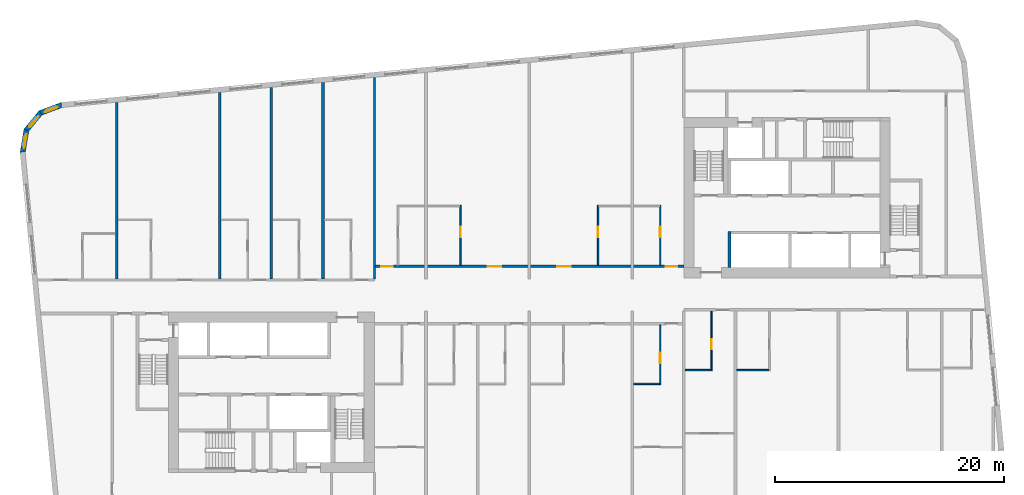
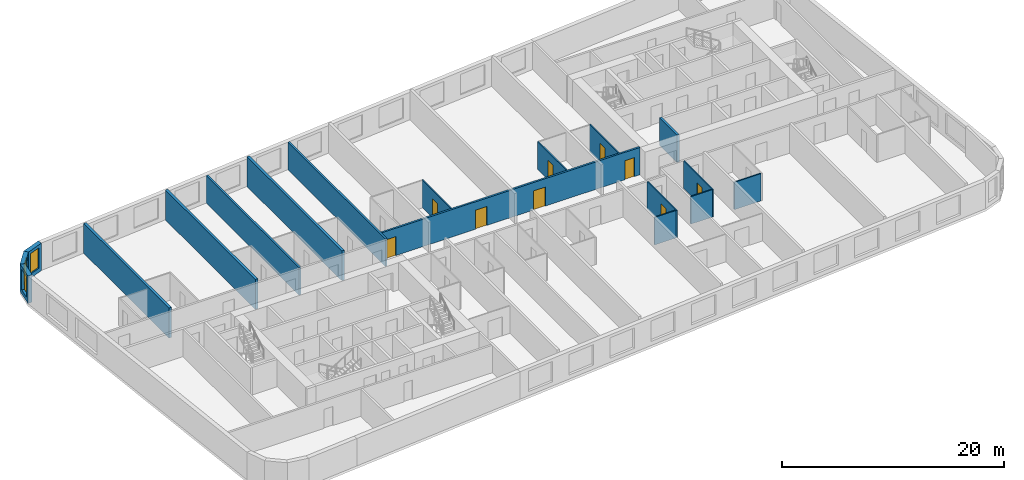
# One storey, part 5 of 12: 18 walls, 9 doors, 3 windows, 12 openings.
"""IFC4 building model written with IfcOpenShell, lengths in metres."""

import ifcopenshell
import ifcopenshell.guid

model = None  # the IFC model being written
_history = None  # IfcOwnerHistory: only IFC2X3 demands one
_inside = {}  # id of a spatial element -> (the spatial element, [elements in it])
_under = {}  # id of a project, library or spatial element -> (it, [spatial elements below it])
_declared = {}  # id of a project -> (the project, [libraries it declares])
_typed = {}  # id of a type object -> (the type object, [elements of that type])
_made_of = {}  # id of a material, layer set ... -> (it, [elements and type objects made of it])


def new_model(schema):
    """Start an empty IFC model of exactly this schema.

    Asked for "IFC4X3", IfcOpenShell would pick the latest addendum, in which some entities
    have other attributes; the version numbers below select the first issue.
    IFC2X3 requires an IfcOwnerHistory on every rooted entity: one is made here for all.
    """
    global model, _history
    if schema == "IFC4X3":
        model = ifcopenshell.file(schema_version=(4, 3, 0, 0))
    else:
        model = ifcopenshell.file(schema=schema)
    _inside.clear()
    _under.clear()
    _declared.clear()
    _typed.clear()
    _made_of.clear()
    _history = None
    if model.schema == "IFC2X3":
        org = make("IfcOrganization", Name="unknown")
        user = make(
            "IfcPersonAndOrganization",
            ThePerson=make("IfcPerson", FamilyName="unknown"),
            TheOrganization=org,
        )
        app = make(
            "IfcApplication",
            ApplicationDeveloper=org,
            Version="unknown",
            ApplicationFullName="unknown",
            ApplicationIdentifier="unknown",
        )
        _history = make(
            "IfcOwnerHistory",
            OwningUser=user,
            OwningApplication=app,
            ChangeAction="ADDED",
            CreationDate=0,
        )
    return model


def make(cls, **values):
    """One entity of the class cls with the attributes given. An attribute that is None is left unset."""
    return model.create_entity(
        cls, **{name: value for name, value in values.items() if value is not None}
    )


def rooted(cls, **values):
    """An entity with a GlobalId (a new one), such as an element, a storey or a relation."""
    return make(cls, GlobalId=ifcopenshell.guid.new(), OwnerHistory=_history, **values)


def si_unit(unit_type, name, prefix=None):
    """IfcSIUnit, for example si_unit("LENGTHUNIT", "METRE", prefix="MILLI")."""
    return make("IfcSIUnit", UnitType=unit_type, Prefix=prefix, Name=name)


def assignment(units):
    """IfcUnitAssignment: the units of a project."""
    return None if units is None else make("IfcUnitAssignment", Units=units)


def point(xyz):
    """IfcCartesianPoint."""
    return None if xyz is None else make("IfcCartesianPoint", Coordinates=xyz)


def direction(xyz):
    """IfcDirection."""
    return None if xyz is None else make("IfcDirection", DirectionRatios=xyz)


def frame(location, z_axis=None, x_axis=None):
    """IfcAxis2Placement3D, a coordinate frame: its origin and axes. An axis left out is left unset."""
    return make(
        "IfcAxis2Placement3D",
        Location=point(location),
        Axis=direction(z_axis),
        RefDirection=direction(x_axis),
    )


def frame_2d(location, x_axis=None):
    """IfcAxis2Placement2D, a coordinate frame in the plane: its origin and x axis."""
    return make(
        "IfcAxis2Placement2D", Location=point(location), RefDirection=direction(x_axis)
    )


def origin():
    """The frame at (0, 0, 0) with its axes left unset."""
    return frame((0.0, 0.0, 0.0))


def place(relative_to, where):
    """IfcLocalPlacement: puts the frame where relative to a parent placement (None: the world)."""
    return make(
        "IfcLocalPlacement", PlacementRelTo=relative_to, RelativePlacement=where
    )


def context(
    kind, dimensions, precision=None, world=None, true_north=None, identifier=None
):
    """IfcGeometricRepresentationContext, for example the 3D "Model" context."""
    return make(
        "IfcGeometricRepresentationContext",
        ContextIdentifier=identifier,
        ContextType=kind,
        CoordinateSpaceDimension=dimensions,
        Precision=precision,
        WorldCoordinateSystem=world,
        TrueNorth=true_north,
    )


def subcontext(parent, identifier, kind, view, scale=None):
    """IfcGeometricRepresentationSubContext, for example "Body" below "Model"."""
    return make(
        "IfcGeometricRepresentationSubContext",
        ContextIdentifier=identifier,
        ContextType=kind,
        ParentContext=parent,
        TargetScale=scale,
        TargetView=view,
    )


def project(units=None, contexts=None):
    """IfcProject with its units and contexts."""
    return rooted(
        "IfcProject",
        Name="project",
        RepresentationContexts=contexts,
        UnitsInContext=assignment(units),
    )


def spatial(cls, under=None, at=None, **own):
    """A site, building, storey or space (cls), placed at a placement, below another one or the project."""
    s = rooted(cls, ObjectPlacement=at, **own)
    if under is not None:
        _under.setdefault(under.id(), (under, []))[1].append(s)
    return s


def polyline(points):
    """IfcPolyline through the points."""
    return make("IfcPolyline", Points=[point(p) for p in points])


def profile(cls, at=None, kind="AREA", **sizes):
    """A parametric profile (cls). Its sizes go by their IFC names, for example OverallWidth=200.0."""
    return make(cls, ProfileType=kind, Position=at, **sizes)


def rectangle(**sizes):
    """IfcRectangleProfileDef."""
    return profile("IfcRectangleProfileDef", **sizes)


def outline(outer, holes=None, kind="AREA"):
    """IfcArbitraryClosedProfileDef: a profile drawn as a closed curve; with holes, ...WithVoids."""
    if holes is None:
        return make("IfcArbitraryClosedProfileDef", ProfileType=kind, OuterCurve=outer)
    return make(
        "IfcArbitraryProfileDefWithVoids",
        ProfileType=kind,
        OuterCurve=outer,
        InnerCurves=holes,
    )


def extrude(swept, where, along, depth):
    """IfcExtrudedAreaSolid: the profile swept, set in the frame where, extruded along a direction by depth."""
    return make(
        "IfcExtrudedAreaSolid",
        SweptArea=swept,
        Position=where,
        ExtrudedDirection=direction(along),
        Depth=depth,
    )


def shape(context_of_items, identifier, shape_type, items):
    """IfcShapeRepresentation: the items that make up one representation, for example the "Body"."""
    return make(
        "IfcShapeRepresentation",
        ContextOfItems=context_of_items,
        RepresentationIdentifier=identifier,
        RepresentationType=shape_type,
        Items=items,
    )


def material(Name=None, Category=None):
    """IfcMaterial."""
    return make("IfcMaterial", Name=Name, Category=Category)


def layer(
    of_material, thickness, ventilated=None, Name=None, Category=None, Priority=None
):
    """IfcMaterialLayer: one layer of a wall or slab, of a material (None: an air gap)."""
    return make(
        "IfcMaterialLayer",
        Material=of_material,
        LayerThickness=thickness,
        IsVentilated=ventilated,
        Name=Name,
        Category=Category,
        Priority=Priority,
    )


def layer_set(layers, Name=None):
    """IfcMaterialLayerSet."""
    return make("IfcMaterialLayerSet", MaterialLayers=layers, LayerSetName=Name)


def made_of(thing, what):
    """Note that an element or type object is made of a material, layer set ...; save() writes the relation."""
    if what is not None:
        _made_of.setdefault(what.id(), (what, []))[1].append(thing)
    return thing


def type_object(cls, material=None, **own):
    """A type object (cls), such as IfcWallType, which elements share."""
    return made_of(rooted(cls, **own), material)


def element(
    cls,
    number,
    at=None,
    inside=None,
    cuts=None,
    type_object=None,
    material=None,
    context=None,
    identifier="Body",
    shape_type=None,
    held_by="IfcProductDefinitionShape",
    body=None,
    shapes=None,
    **own,
):
    """One element of the class cls, such as IfcWall. Its Tag is "e" and its number.

    at: its placement. inside: the storey or other place that contains it. cuts: it is an
    opening in that element (IfcRelVoidsElement). A single representation is given by context,
    identifier, shape_type and body (its items); several are given by shapes. held_by: the class
    of the entity that holds the representations. save() writes the other relations.
    """
    e = rooted(cls, Tag="e%d" % number, ObjectPlacement=at, **own)
    if body is not None:
        shapes = [shape(context, identifier, shape_type, body)]
    if shapes is not None:
        e.Representation = make(held_by, Representations=shapes)
    if inside is not None:
        _inside.setdefault(inside.id(), (inside, []))[1].append(e)
    if cuts is not None:
        rooted(
            "IfcRelVoidsElement", RelatingBuildingElement=cuts, RelatedOpeningElement=e
        )
    if type_object is not None:
        _typed.setdefault(type_object.id(), (type_object, []))[1].append(e)
    return made_of(e, material)


def fill(opening, filler):
    """IfcRelFillsElement: the door or window that sits in an opening."""
    return rooted(
        "IfcRelFillsElement",
        RelatingOpeningElement=opening,
        RelatedBuildingElement=filler,
    )


def aggregate(whole, parts):
    """IfcRelAggregates: a whole, such as a stair, and the parts it consists of."""
    return rooted("IfcRelAggregates", RelatingObject=whole, RelatedObjects=parts)


def save(model, path):
    """Write the relations noted so far, then the file.

    IfcRelAggregates (storeys below a building ...), IfcRelContainedInSpatialStructure (elements
    in a storey), IfcRelDefinesByType, IfcRelAssociatesMaterial and IfcRelDeclares: one each for
    every whole, place, type object, material and project.
    """
    for whole, parts in _under.values():
        aggregate(whole, parts)
    for where, things in _inside.values():
        rooted(
            "IfcRelContainedInSpatialStructure",
            RelatedElements=things,
            RelatingStructure=where,
        )
    for kind, things in _typed.values():
        rooted("IfcRelDefinesByType", RelatedObjects=things, RelatingType=kind)
    for what, things in _made_of.values():
        rooted("IfcRelAssociatesMaterial", RelatedObjects=things, RelatingMaterial=what)
    for by, libraries in _declared.values():
        rooted("IfcRelDeclares", RelatingContext=by, RelatedDefinitions=libraries)
    model.write(path)


model = new_model("IFC4")

# Units and contexts
model_context = context("Model", 3, precision=1e-05, world=origin(), true_north=direction((0.0, 1.0)))
body_context = subcontext(model_context, "Body", "Model", "MODEL_VIEW")
ifc_project = project(units=[si_unit("LENGTHUNIT", "METRE"), si_unit("AREAUNIT", "SQUARE_METRE"), si_unit("VOLUMEUNIT", "CUBIC_METRE"), si_unit("PLANEANGLEUNIT", "RADIAN"), si_unit("MASSUNIT", "GRAM", prefix="KILO")], contexts=[model_context])

# Site, building, storey
site_placement = place(None, origin())
site = spatial("IfcSite", under=ifc_project, at=site_placement, CompositionType="ELEMENT")
building_placement = place(site_placement, origin())
building = spatial("IfcBuilding", under=site, at=building_placement, Name="Kajstack Hotel Tower", CompositionType="ELEMENT")
storey_placement = place(building_placement, frame((0.0, 0.0, 180.10009765625)))
storey = spatial("IfcBuildingStorey", under=building, at=storey_placement, Name="L42", CompositionType="ELEMENT", Elevation=180.10009765625)

# Wall, openings, doors
ifc_material_1 = material(Name="Gypsum board on steel studs, mineral wool", Category="steel")
ifc_layer_1 = layer(ifc_material_1, 0.199951171875)
ifc_layer_set_1 = layer_set([ifc_layer_1], Name="Corridor wall 200")
wall_type_1 = type_object("IfcWallType", Name="Corridor wall 200", PredefinedType="PARTITIONING", material=ifc_layer_set_1)
wall_1_placement = place(storey_placement, frame((-13.5, 2.5, 0.0), z_axis=(0.0, 0.0, 1.0), x_axis=(1.0, 0.0, 0.0)))
wall_1 = element("IfcWall", 1, at=wall_1_placement, inside=storey, type_object=wall_type_1, Name="G-wall-L42-004", PredefinedType="PARTITIONING", context=body_context, shape_type="SweptSolid", body=[
    extrude(rectangle(XDim=27.0, YDim=0.199951171875, at=frame_2d((13.5, 0.0))), origin(), (0.0, 0.0, 1.0), 3.02001953125),
])
opening_1_placement = place(wall_1_placement, frame((0.574951171875, 0.0, 0.0)))
opening_1 = element("IfcOpeningElement", 2, at=opening_1_placement, cuts=wall_1, Name="Opening 42011", PredefinedType="OPENING", context=body_context, shape_type="SweptSolid", body=[
    extrude(rectangle(XDim=1.0, YDim=2.10009765625, at=frame_2d((0.5, 1.050048828125))), frame((0.0, 0.10986328125, 0.0), z_axis=(0.0, -1.0, 0.0), x_axis=(1.0, 0.0, 0.0)), (0.0, 0.0, 1.0), 0.219970703125),
])
opening_2_placement = place(wall_1_placement, frame((9.863037109375, 0.0, 0.0)))
opening_2 = element("IfcOpeningElement", 3, at=opening_2_placement, cuts=wall_1, Name="Opening 42013", PredefinedType="OPENING", context=body_context, shape_type="SweptSolid", body=[
    extrude(rectangle(XDim=1.199951171875, YDim=2.10009765625, at=frame_2d((0.60009765625, 1.050048828125))), frame((0.0, 0.10986328125, 0.0), z_axis=(0.0, -1.0, 0.0), x_axis=(1.0, 0.0, 0.0)), (0.0, 0.0, 1.0), 0.219970703125),
])
opening_3_placement = place(wall_1_placement, frame((15.93798828125, 0.0, 0.0)))
opening_3 = element("IfcOpeningElement", 4, at=opening_3_placement, cuts=wall_1, Name="Opening 42015", PredefinedType="OPENING", context=body_context, shape_type="SweptSolid", body=[
    extrude(rectangle(XDim=1.199951171875, YDim=2.10009765625, at=frame_2d((0.60009765625, 1.050048828125))), frame((0.0, 0.10986328125, 0.0), z_axis=(0.0, -1.0, 0.0), x_axis=(1.0, 0.0, 0.0)), (0.0, 0.0, 1.0), 0.219970703125),
])
opening_4_placement = place(wall_1_placement, frame((25.425048828125, 0.0, 0.0)))
opening_4 = element("IfcOpeningElement", 5, at=opening_4_placement, cuts=wall_1, Name="Opening 42017", PredefinedType="OPENING", context=body_context, shape_type="SweptSolid", body=[
    extrude(rectangle(XDim=1.0, YDim=2.10009765625, at=frame_2d((0.5, 1.050048828125))), frame((0.0, 0.10986328125, 0.0), z_axis=(0.0, -1.0, 0.0), x_axis=(1.0, 0.0, 0.0)), (0.0, 0.0, 1.0), 0.219970703125),
])
ifc_material_2 = material(Name="Oak veneer on timber core, fire-rated leaf", Category="wood")
door_type_1 = type_object("IfcDoorType", Name="Flat entrance door 1000", OperationType="SINGLE_SWING_LEFT", PredefinedType="DOOR", material=ifc_material_2)
door_1_placement = place(opening_1_placement, origin())
door_1 = element("IfcDoor", 6, at=door_1_placement, inside=storey, type_object=door_type_1, Name="G-door-L42-11", OperationType="SINGLE_SWING_RIGHT", OverallHeight=2.10009765625, OverallWidth=1.0, PredefinedType="DOOR", context=body_context, shape_type="SweptSolid", body=[
    extrude(rectangle(XDim=1.0, YDim=2.10009765625, at=frame_2d((0.5, 1.050048828125))), frame((0.0, 0.02490234375, 0.0), z_axis=(0.0, -1.0, 0.0), x_axis=(1.0, 0.0, 0.0)), (0.0, 0.0, 1.0), 0.050048828125),
])
fill(opening_1, door_1)
door_2_placement = place(opening_4_placement, origin())
door_2 = element("IfcDoor", 7, at=door_2_placement, inside=storey, type_object=door_type_1, Name="G-door-L42-17", OperationType="SINGLE_SWING_RIGHT", OverallHeight=2.10009765625, OverallWidth=1.0, PredefinedType="DOOR", context=body_context, shape_type="SweptSolid", body=[
    extrude(rectangle(XDim=1.0, YDim=2.10009765625, at=frame_2d((0.5, 1.050048828125))), frame((0.0, 0.02490234375, 0.0), z_axis=(0.0, -1.0, 0.0), x_axis=(1.0, 0.0, 0.0)), (0.0, 0.0, 1.0), 0.050048828125),
])
fill(opening_4, door_2)
door_type_2 = type_object("IfcDoorType", Name="Flat entrance door 1200", OperationType="SINGLE_SWING_LEFT", PredefinedType="DOOR", material=ifc_material_2)
door_3_placement = place(opening_2_placement, origin())
door_3 = element("IfcDoor", 8, at=door_3_placement, inside=storey, type_object=door_type_2, Name="G-door-L42-13", OperationType="SINGLE_SWING_LEFT", OverallHeight=2.10009765625, OverallWidth=1.199951171875, PredefinedType="DOOR", context=body_context, shape_type="SweptSolid", body=[
    extrude(rectangle(XDim=1.199951171875, YDim=2.10009765625, at=frame_2d((0.60009765625, 1.050048828125))), frame((0.0, 0.02490234375, 0.0), z_axis=(0.0, -1.0, 0.0), x_axis=(1.0, 0.0, 0.0)), (0.0, 0.0, 1.0), 0.050048828125),
])
fill(opening_2, door_3)
door_4_placement = place(opening_3_placement, origin())
door_4 = element("IfcDoor", 9, at=door_4_placement, inside=storey, type_object=door_type_2, Name="G-door-L42-15", OperationType="SINGLE_SWING_RIGHT", OverallHeight=2.10009765625, OverallWidth=1.199951171875, PredefinedType="DOOR", context=body_context, shape_type="SweptSolid", body=[
    extrude(rectangle(XDim=1.199951171875, YDim=2.10009765625, at=frame_2d((0.60009765625, 1.050048828125))), frame((0.0, 0.02490234375, 0.0), z_axis=(0.0, -1.0, 0.0), x_axis=(1.0, 0.0, 0.0)), (0.0, 0.0, 1.0), 0.050048828125),
])
fill(opening_3, door_4)

# Walls
ifc_material_3 = material(Name="Twin-frame gypsum board on steel studs, mineral wool", Category="steel")
ifc_layer_2 = layer(ifc_material_3, 0.199951171875)
ifc_layer_set_2 = layer_set([ifc_layer_2], Name="Demising wall 200")
wall_type_2 = type_object("IfcWallType", Name="Demising wall 200", PredefinedType="PARTITIONING", material=ifc_layer_set_2)
wall_2_placement = place(storey_placement, frame((-22.5, 1.39990234375, 0.0), z_axis=(0.0, 0.0, 1.0), x_axis=(0.0, 1.0, 0.0)))
element("IfcWall", 10, at=wall_2_placement, inside=storey, type_object=wall_type_2, Name="G-wall-L42-009", PredefinedType="PARTITIONING", context=body_context, shape_type="SweptSolid", body=[
    extrude(rectangle(XDim=16.72314453125, YDim=0.199951171875, at=frame_2d((8.361572265625, 0.0))), origin(), (0.0, 0.0, 1.0), 3.02001953125),
])
wall_3_placement = place(storey_placement, frame((-13.5, 1.39990234375, 0.0), z_axis=(0.0, 0.0, 1.0), x_axis=(0.0, 1.0, 0.0)))
element("IfcWall", 11, at=wall_3_placement, inside=storey, type_object=wall_type_2, Name="G-wall-L42-014", PredefinedType="PARTITIONING", context=body_context, shape_type="SweptSolid", body=[
    extrude(rectangle(XDim=17.590087890625, YDim=0.199951171875, at=frame_2d((8.794921875, 0.0))), origin(), (0.0, 0.0, 1.0), 3.02001953125),
])

# Wall, opening, window
ifc_material_4 = material(Name="Terracotta-faced brick masonry", Category="masonry")
ifc_layer_3 = layer(ifc_material_4, 0.449951171875)
ifc_layer_set_3 = layer_set([ifc_layer_3], Name="EW-TERRA")
wall_type_3 = type_object("IfcWallType", Name="EW-TERRA", PredefinedType="SOLIDWALL", material=ifc_layer_set_3)
wall_4_placement = place(storey_placement, frame((-40.76123046875, 16.598388671875, 0.0), z_axis=(0.0, 0.0, 1.0), x_axis=(-0.936677599948, -0.350192909346, 0.0)))
wall_4 = element("IfcWall", 12, at=wall_4_placement, inside=storey, type_object=wall_type_3, Name="E-wall-L42-13-00", PredefinedType="SOLIDWALL", context=body_context, shape_type="SweptSolid", body=[
    extrude(outline(polyline([(0.0, -0.22509765625), (2.070556640625, -0.224853515625), (1.949951171875, 0.22509765625), (0.12060546875, 0.22509765625), (0.0, -0.22509765625)])), origin(), (0.0, 0.0, 1.0), 3.02001953125),
])
opening_5_placement = place(wall_4_placement, frame((0.435302734375, 0.0, 0.449951171875)))
opening_5 = element("IfcOpeningElement", 13, at=opening_5_placement, cuts=wall_4, Name="Opening W3", PredefinedType="OPENING", context=body_context, shape_type="SweptSolid", body=[
    extrude(rectangle(XDim=1.199951171875, YDim=2.25, at=frame_2d((0.60009765625, 1.125))), frame((0.0, 0.23486328125, 0.0), z_axis=(0.0, -1.0, 0.0), x_axis=(1.0, 0.0, 0.0)), (0.0, 0.0, 1.0), 0.469970703125),
])
ifc_material_5 = material(Name="Timber-aluminium window, triple glazed", Category="wood")
window_type = type_object("IfcWindowType", Name="WG3", PartitioningType="SINGLE_PANEL", PredefinedType="WINDOW", material=ifc_material_5)
window_1_placement = place(opening_5_placement, origin())
window_1 = element("IfcWindow", 14, at=window_1_placement, inside=storey, type_object=window_type, Name="Window W3 L42-13", OverallHeight=2.25, OverallWidth=1.199951171875, PartitioningType="SINGLE_PANEL", PredefinedType="WINDOW", context=body_context, shape_type="SweptSolid", body=[
    extrude(rectangle(XDim=1.199951171875, YDim=2.25, at=frame_2d((0.60009765625, 1.125))), frame((0.0, 0.090087890625, 0.0), z_axis=(0.0, -1.0, 0.0), x_axis=(1.0, 0.0, 0.0)), (0.0, 0.0, 1.0), 0.06005859375),
])
fill(opening_5, window_1)

wall_5_placement = place(storey_placement, frame((-42.60595703125, 15.94091796875, 0.0), z_axis=(0.0, 0.0, 1.0), x_axis=(-0.636116318187, -0.771593176315, 0.0)))
wall_5 = element("IfcWall", 15, at=wall_5_placement, inside=storey, type_object=wall_type_3, Name="E-wall-L42-14-00", PredefinedType="SOLIDWALL", context=body_context, shape_type="SweptSolid", body=[
    extrude(outline(polyline([(0.0, -0.224853515625), (2.070556640625, -0.224853515625), (1.949951171875, 0.22509765625), (0.12060546875, 0.22509765625), (0.0, -0.224853515625)])), origin(), (0.0, 0.0, 1.0), 3.02001953125),
])
opening_6_placement = place(wall_5_placement, frame((0.435302734375, 0.0, 0.449951171875)))
opening_6 = element("IfcOpeningElement", 16, at=opening_6_placement, cuts=wall_5, Name="Opening W3", PredefinedType="OPENING", context=body_context, shape_type="SweptSolid", body=[
    extrude(rectangle(XDim=1.199951171875, YDim=2.25, at=frame_2d((0.60009765625, 1.125))), frame((0.0, 0.23486328125, 0.0), z_axis=(0.0, -1.0, 0.0), x_axis=(1.0, 0.0, 0.0)), (0.0, 0.0, 1.0), 0.469970703125),
])
window_2_placement = place(opening_6_placement, origin())
window_2 = element("IfcWindow", 17, at=window_2_placement, inside=storey, type_object=window_type, Name="Window W3 L42-14", OverallHeight=2.25, OverallWidth=1.199951171875, PartitioningType="SINGLE_PANEL", PredefinedType="WINDOW", context=body_context, shape_type="SweptSolid", body=[
    extrude(rectangle(XDim=1.199951171875, YDim=2.25, at=frame_2d((0.60009765625, 1.125))), frame((0.0, 0.090087890625, 0.0), z_axis=(0.0, -1.0, 0.0), x_axis=(1.0, 0.0, 0.0)), (0.0, 0.0, 1.0), 0.06005859375),
])
fill(opening_6, window_2)

wall_6_placement = place(storey_placement, frame((-43.874755859375, 14.44921875, 0.0), z_axis=(0.0, 0.0, 1.0), x_axis=(-0.164953448126, -0.986301353518, 0.0)))
wall_6 = element("IfcWall", 18, at=wall_6_placement, inside=storey, type_object=wall_type_3, Name="E-wall-L42-15-00", PredefinedType="SOLIDWALL", context=body_context, shape_type="SweptSolid", body=[
    extrude(outline(polyline([(0.0, -0.224853515625), (2.070556640625, -0.22509765625), (1.9501953125, 0.224853515625), (0.12060546875, 0.22509765625), (0.0, -0.224853515625)])), origin(), (0.0, 0.0, 1.0), 3.02001953125),
])
opening_7_placement = place(wall_6_placement, frame((0.435302734375, 0.0, 0.449951171875)))
opening_7 = element("IfcOpeningElement", 19, at=opening_7_placement, cuts=wall_6, Name="Opening W3", PredefinedType="OPENING", context=body_context, shape_type="SweptSolid", body=[
    extrude(rectangle(XDim=1.199951171875, YDim=2.25, at=frame_2d((0.60009765625, 1.125))), frame((0.0, 0.23486328125, 0.0), z_axis=(0.0, -1.0, 0.0), x_axis=(1.0, 0.0, 0.0)), (0.0, 0.0, 1.0), 0.469970703125),
])
window_3_placement = place(opening_7_placement, origin())
window_3 = element("IfcWindow", 20, at=window_3_placement, inside=storey, type_object=window_type, Name="Window W3 L42-15", OverallHeight=2.25, OverallWidth=1.199951171875, PartitioningType="SINGLE_PANEL", PredefinedType="WINDOW", context=body_context, shape_type="SweptSolid", body=[
    extrude(rectangle(XDim=1.199951171875, YDim=2.25, at=frame_2d((0.60009765625, 1.125))), frame((0.0, 0.090087890625, 0.0), z_axis=(0.0, -1.0, 0.0), x_axis=(1.0, 0.0, 0.0)), (0.0, 0.0, 1.0), 0.06005859375),
])
fill(opening_7, window_3)

# Wall, opening, door
ifc_material_6 = material(Name="Gypsum board and tiled backer on steel studs", Category="steel")
ifc_layer_4 = layer(ifc_material_6, 0.125)
ifc_layer_set_4 = layer_set([ifc_layer_4], Name="En-suite wall 125")
wall_type_4 = type_object("IfcWallType", Name="En-suite wall 125", PredefinedType="PARTITIONING", material=ifc_layer_set_4)
wall_7_placement = place(storey_placement, frame((-6.012939453125, 2.60009765625, 0.0), z_axis=(0.0, 0.0, 1.0), x_axis=(0.0, 1.0, 0.0)))
wall_7 = element("IfcWall", 21, at=wall_7_placement, inside=storey, type_object=wall_type_4, Name="G-wall-L42-019", PredefinedType="PARTITIONING", context=body_context, shape_type="SweptSolid", body=[
    extrude(rectangle(XDim=5.224853515625, YDim=0.125, at=frame_2d((2.6123046875, 0.0))), origin(), (0.0, 0.0, 1.0), 3.02001953125),
])
opening_8_placement = place(wall_7_placement, frame((2.449951171875, 0.0, 0.0)))
opening_8 = element("IfcOpeningElement", 22, at=opening_8_placement, cuts=wall_7, Name="Opening 42014", PredefinedType="OPENING", context=body_context, shape_type="SweptSolid", body=[
    extrude(rectangle(XDim=0.89990234375, YDim=2.10009765625, at=frame_2d((0.449951171875, 1.050048828125))), frame((0.0, 0.072509765625, 0.0), z_axis=(0.0, -1.0, 0.0), x_axis=(1.0, 0.0, 0.0)), (0.0, 0.0, 1.0), 0.14501953125),
])
ifc_material_7 = material(Name="Painted timber door leaf", Category="wood")
door_type_3 = type_object("IfcDoorType", Name="Room door 900", OperationType="SINGLE_SWING_LEFT", PredefinedType="DOOR", material=ifc_material_7)
door_5_placement = place(opening_8_placement, origin())
door_5 = element("IfcDoor", 23, at=door_5_placement, inside=storey, type_object=door_type_3, Name="G-door-L42-14", OperationType="SINGLE_SWING_LEFT", OverallHeight=2.10009765625, OverallWidth=0.89990234375, PredefinedType="DOOR", context=body_context, shape_type="SweptSolid", body=[
    extrude(rectangle(XDim=0.89990234375, YDim=2.10009765625, at=frame_2d((0.449951171875, 1.050048828125))), frame((0.0, 0.02490234375, 0.0), z_axis=(0.0, -1.0, 0.0), x_axis=(1.0, 0.0, 0.0)), (0.0, 0.0, 1.0), 0.050048828125),
])
fill(opening_8, door_5)

wall_8_placement = place(storey_placement, frame((6.012939453125, 2.60009765625, 0.0), z_axis=(0.0, 0.0, 1.0), x_axis=(0.0, 1.0, 0.0)))
wall_8 = element("IfcWall", 24, at=wall_8_placement, inside=storey, type_object=wall_type_4, Name="G-wall-L42-021", PredefinedType="PARTITIONING", context=body_context, shape_type="SweptSolid", body=[
    extrude(rectangle(XDim=5.224853515625, YDim=0.125, at=frame_2d((2.6123046875, 0.0))), origin(), (0.0, 0.0, 1.0), 3.02001953125),
])
opening_9_placement = place(wall_8_placement, frame((2.449951171875, 0.0, 0.0)))
opening_9 = element("IfcOpeningElement", 25, at=opening_9_placement, cuts=wall_8, Name="Opening 42016", PredefinedType="OPENING", context=body_context, shape_type="SweptSolid", body=[
    extrude(rectangle(XDim=0.89990234375, YDim=2.10009765625, at=frame_2d((0.449951171875, 1.050048828125))), frame((0.0, 0.072509765625, 0.0), z_axis=(0.0, -1.0, 0.0), x_axis=(1.0, 0.0, 0.0)), (0.0, 0.0, 1.0), 0.14501953125),
])
door_6_placement = place(opening_9_placement, origin())
door_6 = element("IfcDoor", 26, at=door_6_placement, inside=storey, type_object=door_type_3, Name="G-door-L42-16", OperationType="SINGLE_SWING_RIGHT", OverallHeight=2.10009765625, OverallWidth=0.89990234375, PredefinedType="DOOR", context=body_context, shape_type="SweptSolid", body=[
    extrude(rectangle(XDim=0.89990234375, YDim=2.10009765625, at=frame_2d((0.449951171875, 1.050048828125))), frame((0.0, 0.02490234375, 0.0), z_axis=(0.0, -1.0, 0.0), x_axis=(1.0, 0.0, 0.0)), (0.0, 0.0, 1.0), 0.050048828125),
])
fill(opening_9, door_6)

wall_9_placement = place(storey_placement, frame((11.43798828125, 2.60009765625, 0.0), z_axis=(0.0, 0.0, 1.0), x_axis=(0.0, 1.0, 0.0)))
wall_9 = element("IfcWall", 27, at=wall_9_placement, inside=storey, type_object=wall_type_4, Name="G-wall-L42-023", PredefinedType="PARTITIONING", context=body_context, shape_type="SweptSolid", body=[
    extrude(rectangle(XDim=5.224853515625, YDim=0.125, at=frame_2d((2.6123046875, 0.0))), origin(), (0.0, 0.0, 1.0), 3.02001953125),
])
opening_10_placement = place(wall_9_placement, frame((2.449951171875, 0.0, 0.0)))
opening_10 = element("IfcOpeningElement", 28, at=opening_10_placement, cuts=wall_9, Name="Opening 42018", PredefinedType="OPENING", context=body_context, shape_type="SweptSolid", body=[
    extrude(rectangle(XDim=0.89990234375, YDim=2.10009765625, at=frame_2d((0.449951171875, 1.050048828125))), frame((0.0, 0.072509765625, 0.0), z_axis=(0.0, -1.0, 0.0), x_axis=(1.0, 0.0, 0.0)), (0.0, 0.0, 1.0), 0.14501953125),
])
door_7_placement = place(opening_10_placement, origin())
door_7 = element("IfcDoor", 29, at=door_7_placement, inside=storey, type_object=door_type_3, Name="G-door-L42-18", OperationType="SINGLE_SWING_LEFT", OverallHeight=2.10009765625, OverallWidth=0.89990234375, PredefinedType="DOOR", context=body_context, shape_type="SweptSolid", body=[
    extrude(rectangle(XDim=0.89990234375, YDim=2.10009765625, at=frame_2d((0.449951171875, 1.050048828125))), frame((0.0, 0.02490234375, 0.0), z_axis=(0.0, -1.0, 0.0), x_axis=(1.0, 0.0, 0.0)), (0.0, 0.0, 1.0), 0.050048828125),
])
fill(opening_10, door_7)

wall_10_placement = place(storey_placement, frame((11.43798828125, -7.824951171875, 0.0), z_axis=(0.0, 0.0, 1.0), x_axis=(0.0, 1.0, 0.0)))
wall_10 = element("IfcWall", 30, at=wall_10_placement, inside=storey, type_object=wall_type_4, Name="G-wall-L42-038", PredefinedType="PARTITIONING", context=body_context, shape_type="SweptSolid", body=[
    extrude(rectangle(XDim=5.224853515625, YDim=0.125, at=frame_2d((2.6123046875, 0.0))), origin(), (0.0, 0.0, 1.0), 3.02001953125),
])
opening_11_placement = place(wall_10_placement, frame((1.875, 0.0, 0.0)))
opening_11 = element("IfcOpeningElement", 31, at=opening_11_placement, cuts=wall_10, Name="Opening 42029", PredefinedType="OPENING", context=body_context, shape_type="SweptSolid", body=[
    extrude(rectangle(XDim=0.89990234375, YDim=2.10009765625, at=frame_2d((0.449951171875, 1.050048828125))), frame((0.0, 0.072509765625, 0.0), z_axis=(0.0, -1.0, 0.0), x_axis=(1.0, 0.0, 0.0)), (0.0, 0.0, 1.0), 0.14501953125),
])
door_8_placement = place(opening_11_placement, origin())
door_8 = element("IfcDoor", 32, at=door_8_placement, inside=storey, type_object=door_type_3, Name="G-door-L42-29", OperationType="SINGLE_SWING_LEFT", OverallHeight=2.10009765625, OverallWidth=0.89990234375, PredefinedType="DOOR", context=body_context, shape_type="SweptSolid", body=[
    extrude(rectangle(XDim=0.89990234375, YDim=2.10009765625, at=frame_2d((0.449951171875, 1.050048828125))), frame((0.0, 0.02490234375, 0.0), z_axis=(0.0, -1.0, 0.0), x_axis=(1.0, 0.0, 0.0)), (0.0, 0.0, 1.0), 0.050048828125),
])
fill(opening_11, door_8)

# Wall
wall_11_placement = place(storey_placement, frame((9.125, -7.761962890625, 0.0), z_axis=(0.0, 0.0, 1.0), x_axis=(1.0, 0.0, 0.0)))
element("IfcWall", 33, at=wall_11_placement, inside=storey, type_object=wall_type_4, Name="G-wall-L42-039", PredefinedType="PARTITIONING", context=body_context, shape_type="SweptSolid", body=[
    extrude(rectangle(XDim=2.25, YDim=0.125, at=frame_2d((1.125, 0.0))), origin(), (0.0, 0.0, 1.0), 3.02001953125),
])

# Wall, opening, door
wall_12_placement = place(storey_placement, frame((15.912109375, -6.625, 0.0), z_axis=(0.0, 0.0, 1.0), x_axis=(0.0, 1.0, 0.0)))
wall_12 = element("IfcWall", 34, at=wall_12_placement, inside=storey, type_object=wall_type_4, Name="G-wall-L42-041", PredefinedType="PARTITIONING", context=body_context, shape_type="SweptSolid", body=[
    extrude(rectangle(XDim=5.22509765625, YDim=0.125, at=frame_2d((2.612548828125, 0.0))), origin(), (0.0, 0.0, 1.0), 3.02001953125),
])
opening_12_placement = place(wall_12_placement, frame((1.875, 0.0, 0.0)))
opening_12 = element("IfcOpeningElement", 35, at=opening_12_placement, cuts=wall_12, Name="Opening 42032", PredefinedType="OPENING", context=body_context, shape_type="SweptSolid", body=[
    extrude(rectangle(XDim=0.89990234375, YDim=2.10009765625, at=frame_2d((0.449951171875, 1.050048828125))), frame((0.0, 0.072509765625, 0.0), z_axis=(0.0, -1.0, 0.0), x_axis=(1.0, 0.0, 0.0)), (0.0, 0.0, 1.0), 0.14501953125),
])
door_9_placement = place(opening_12_placement, origin())
door_9 = element("IfcDoor", 36, at=door_9_placement, inside=storey, type_object=door_type_3, Name="G-door-L42-32", OperationType="SINGLE_SWING_RIGHT", OverallHeight=2.10009765625, OverallWidth=0.89990234375, PredefinedType="DOOR", context=body_context, shape_type="SweptSolid", body=[
    extrude(rectangle(XDim=0.89990234375, YDim=2.10009765625, at=frame_2d((0.449951171875, 1.050048828125))), frame((0.0, 0.02490234375, 0.0), z_axis=(0.0, -1.0, 0.0), x_axis=(1.0, 0.0, 0.0)), (0.0, 0.0, 1.0), 0.050048828125),
])
fill(opening_12, door_9)

# Walls
wall_13_placement = place(storey_placement, frame((13.60009765625, -6.56201171875, 0.0), z_axis=(0.0, 0.0, 1.0), x_axis=(1.0, 0.0, 0.0)))
element("IfcWall", 37, at=wall_13_placement, inside=storey, type_object=wall_type_4, Name="G-wall-L42-042", PredefinedType="PARTITIONING", context=body_context, shape_type="SweptSolid", body=[
    extrude(rectangle(XDim=2.25, YDim=0.125, at=frame_2d((1.125, 0.0))), origin(), (0.0, 0.0, 1.0), 3.02001953125),
])
wall_14_placement = place(storey_placement, frame((18.125, -6.56201171875, 0.0), z_axis=(0.0, 0.0, 1.0), x_axis=(1.0, 0.0, 0.0)))
element("IfcWall", 38, at=wall_14_placement, inside=storey, type_object=wall_type_4, Name="G-wall-L42-045", PredefinedType="PARTITIONING", context=body_context, shape_type="SweptSolid", body=[
    extrude(rectangle(XDim=2.800048828125, YDim=0.125, at=frame_2d((1.39990234375, 0.0))), origin(), (0.0, 0.0, 1.0), 3.02001953125),
])
ifc_material_8 = material(Name="Concrete C50/60", Category="concrete")
ifc_layer_5 = layer(ifc_material_8, 0.25)
ifc_layer_set_5 = layer_set([ifc_layer_5], Name="RC cross wall 250 C50/60")
wall_type_5 = type_object("IfcWallType", Name="RC cross wall 250 C50/60", PredefinedType="SHEAR", material=ifc_layer_set_5)
wall_15_placement = place(storey_placement, frame((-36.0, 1.39990234375, 0.0), z_axis=(0.0, 0.0, 1.0), x_axis=(0.0, 1.0, 0.0)))
element("IfcWall", 39, at=wall_15_placement, inside=storey, type_object=wall_type_5, Name="S-wall-L42-01", PredefinedType="SHEAR", context=body_context, shape_type="SweptSolid", body=[
    extrude(rectangle(XDim=15.401123046875, YDim=0.25, at=frame_2d((7.70068359375, 0.0))), origin(), (0.0, 0.0, 1.0), 3.2998046875),
])
wall_16_placement = place(storey_placement, frame((-27.0, 1.39990234375, 0.0), z_axis=(0.0, 0.0, 1.0), x_axis=(0.0, 1.0, 0.0)))
element("IfcWall", 40, at=wall_16_placement, inside=storey, type_object=wall_type_5, Name="S-wall-L42-02", PredefinedType="SHEAR", context=body_context, shape_type="SweptSolid", body=[
    extrude(rectangle(XDim=16.267578125, YDim=0.25, at=frame_2d((8.1337890625, 0.0))), origin(), (0.0, 0.0, 1.0), 3.2998046875),
])
wall_17_placement = place(storey_placement, frame((-18.0, 1.39990234375, 0.0), z_axis=(0.0, 0.0, 1.0), x_axis=(0.0, 1.0, 0.0)))
element("IfcWall", 41, at=wall_17_placement, inside=storey, type_object=wall_type_5, Name="S-wall-L42-03", PredefinedType="SHEAR", context=body_context, shape_type="SweptSolid", body=[
    extrude(rectangle(XDim=17.13427734375, YDim=0.25, at=frame_2d((8.567138671875, 0.0))), origin(), (0.0, 0.0, 1.0), 3.2998046875),
])
ifc_layer_6 = layer(ifc_material_8, 0.25)
ifc_layer_set_6 = layer_set([ifc_layer_6], Name="Shaft wall 250")
wall_type_6 = type_object("IfcWallType", Name="Shaft wall 250", PredefinedType="SHEAR", material=ifc_layer_set_6)
wall_18_placement = place(storey_placement, frame((17.47509765625, 2.39990234375, 0.0), z_axis=(0.0, 0.0, 1.0), x_axis=(0.0, 1.0, 0.0)))
element("IfcWall", 42, at=wall_18_placement, inside=storey, type_object=wall_type_6, Name="Core wall E AE", PredefinedType="SHEAR", context=body_context, shape_type="SweptSolid", body=[
    extrude(rectangle(XDim=3.150146484375, YDim=0.25, at=frame_2d((1.5751953125, 0.0))), origin(), (0.0, 0.0, 1.0), 3.02001953125),
])

save(model, "model.ifc")
